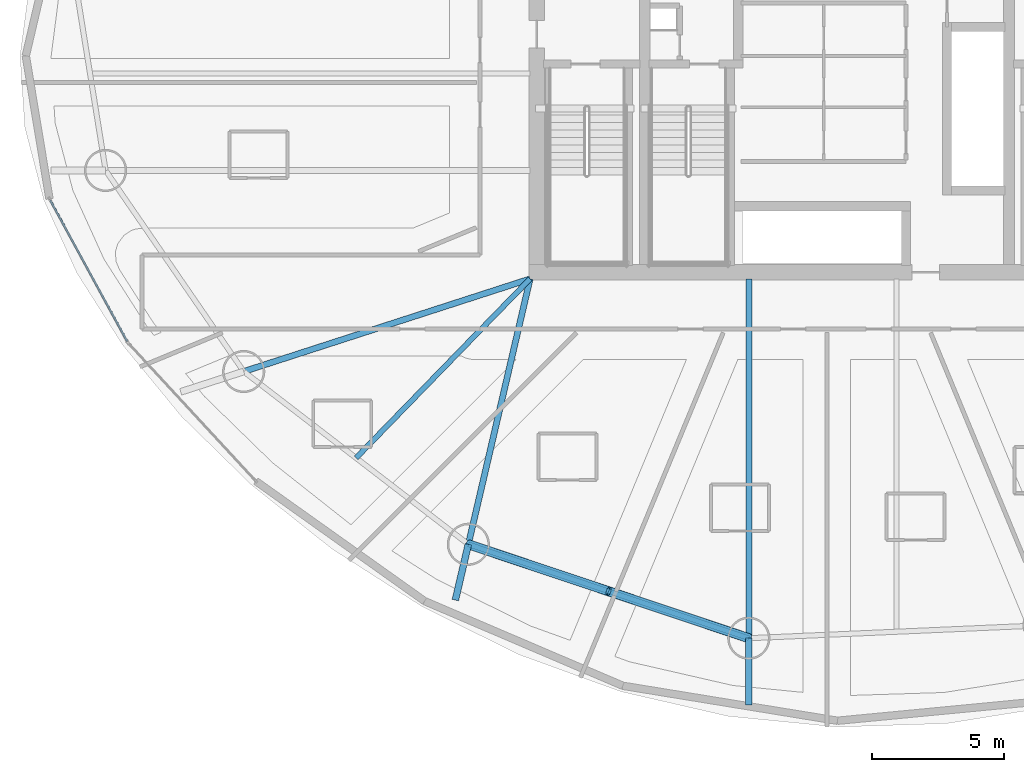
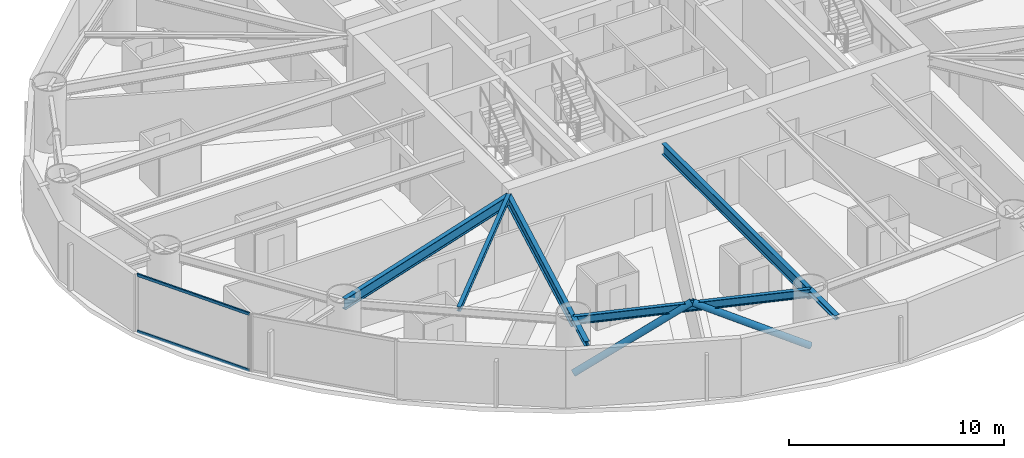
# One storey, part 3 of 27: 7 beams, 4 members, 1 element without a shape of its own.
"""IFC4 building model written with IfcOpenShell, lengths in metres."""

import ifcopenshell
import ifcopenshell.guid

model = None  # the IFC model being written
_history = None  # IfcOwnerHistory: only IFC2X3 demands one
_inside = {}  # id of a spatial element -> (the spatial element, [elements in it])
_under = {}  # id of a project, library or spatial element -> (it, [spatial elements below it])
_declared = {}  # id of a project -> (the project, [libraries it declares])
_typed = {}  # id of a type object -> (the type object, [elements of that type])
_made_of = {}  # id of a material, layer set ... -> (it, [elements and type objects made of it])


def new_model(schema):
    """Start an empty IFC model of exactly this schema.

    Asked for "IFC4X3", IfcOpenShell would pick the latest addendum, in which some entities
    have other attributes; the version numbers below select the first issue.
    IFC2X3 requires an IfcOwnerHistory on every rooted entity: one is made here for all.
    """
    global model, _history
    if schema == "IFC4X3":
        model = ifcopenshell.file(schema_version=(4, 3, 0, 0))
    else:
        model = ifcopenshell.file(schema=schema)
    _inside.clear()
    _under.clear()
    _declared.clear()
    _typed.clear()
    _made_of.clear()
    _history = None
    if model.schema == "IFC2X3":
        org = make("IfcOrganization", Name="unknown")
        user = make(
            "IfcPersonAndOrganization",
            ThePerson=make("IfcPerson", FamilyName="unknown"),
            TheOrganization=org,
        )
        app = make(
            "IfcApplication",
            ApplicationDeveloper=org,
            Version="unknown",
            ApplicationFullName="unknown",
            ApplicationIdentifier="unknown",
        )
        _history = make(
            "IfcOwnerHistory",
            OwningUser=user,
            OwningApplication=app,
            ChangeAction="ADDED",
            CreationDate=0,
        )
    return model


def make(cls, **values):
    """One entity of the class cls with the attributes given. An attribute that is None is left unset."""
    return model.create_entity(
        cls, **{name: value for name, value in values.items() if value is not None}
    )


def rooted(cls, **values):
    """An entity with a GlobalId (a new one), such as an element, a storey or a relation."""
    return make(cls, GlobalId=ifcopenshell.guid.new(), OwnerHistory=_history, **values)


def si_unit(unit_type, name, prefix=None):
    """IfcSIUnit, for example si_unit("LENGTHUNIT", "METRE", prefix="MILLI")."""
    return make("IfcSIUnit", UnitType=unit_type, Prefix=prefix, Name=name)


def assignment(units):
    """IfcUnitAssignment: the units of a project."""
    return None if units is None else make("IfcUnitAssignment", Units=units)


def point(xyz):
    """IfcCartesianPoint."""
    return None if xyz is None else make("IfcCartesianPoint", Coordinates=xyz)


def direction(xyz):
    """IfcDirection."""
    return None if xyz is None else make("IfcDirection", DirectionRatios=xyz)


def frame(location, z_axis=None, x_axis=None):
    """IfcAxis2Placement3D, a coordinate frame: its origin and axes. An axis left out is left unset."""
    return make(
        "IfcAxis2Placement3D",
        Location=point(location),
        Axis=direction(z_axis),
        RefDirection=direction(x_axis),
    )


def frame_2d(location, x_axis=None):
    """IfcAxis2Placement2D, a coordinate frame in the plane: its origin and x axis."""
    return make(
        "IfcAxis2Placement2D", Location=point(location), RefDirection=direction(x_axis)
    )


def origin():
    """The frame at (0, 0, 0) with its axes left unset."""
    return frame((0.0, 0.0, 0.0))


def origin_2d():
    """The frame at (0, 0) in the plane with its x axis left unset."""
    return frame_2d((0.0, 0.0))


def place(relative_to, where):
    """IfcLocalPlacement: puts the frame where relative to a parent placement (None: the world)."""
    return make(
        "IfcLocalPlacement", PlacementRelTo=relative_to, RelativePlacement=where
    )


def context(
    kind, dimensions, precision=None, world=None, true_north=None, identifier=None
):
    """IfcGeometricRepresentationContext, for example the 3D "Model" context."""
    return make(
        "IfcGeometricRepresentationContext",
        ContextIdentifier=identifier,
        ContextType=kind,
        CoordinateSpaceDimension=dimensions,
        Precision=precision,
        WorldCoordinateSystem=world,
        TrueNorth=true_north,
    )


def subcontext(parent, identifier, kind, view, scale=None):
    """IfcGeometricRepresentationSubContext, for example "Body" below "Model"."""
    return make(
        "IfcGeometricRepresentationSubContext",
        ContextIdentifier=identifier,
        ContextType=kind,
        ParentContext=parent,
        TargetScale=scale,
        TargetView=view,
    )


def project(units=None, contexts=None):
    """IfcProject with its units and contexts."""
    return rooted(
        "IfcProject",
        Name="project",
        RepresentationContexts=contexts,
        UnitsInContext=assignment(units),
    )


def spatial(cls, under=None, at=None, **own):
    """A site, building, storey or space (cls), placed at a placement, below another one or the project."""
    s = rooted(cls, ObjectPlacement=at, **own)
    if under is not None:
        _under.setdefault(under.id(), (under, []))[1].append(s)
    return s


def profile(cls, at=None, kind="AREA", **sizes):
    """A parametric profile (cls). Its sizes go by their IFC names, for example OverallWidth=200.0."""
    return make(cls, ProfileType=kind, Position=at, **sizes)


def hollow_rectangle(**sizes):
    """IfcRectangleHollowProfileDef."""
    return profile("IfcRectangleHollowProfileDef", **sizes)


def hollow_circle(**sizes):
    """IfcCircleHollowProfileDef."""
    return profile("IfcCircleHollowProfileDef", **sizes)


def i_section(**sizes):
    """IfcIShapeProfileDef."""
    return profile("IfcIShapeProfileDef", **sizes)


def extrude(swept, where, along, depth):
    """IfcExtrudedAreaSolid: the profile swept, set in the frame where, extruded along a direction by depth."""
    return make(
        "IfcExtrudedAreaSolid",
        SweptArea=swept,
        Position=where,
        ExtrudedDirection=direction(along),
        Depth=depth,
    )


def shape(context_of_items, identifier, shape_type, items):
    """IfcShapeRepresentation: the items that make up one representation, for example the "Body"."""
    return make(
        "IfcShapeRepresentation",
        ContextOfItems=context_of_items,
        RepresentationIdentifier=identifier,
        RepresentationType=shape_type,
        Items=items,
    )


def material(Name=None, Category=None):
    """IfcMaterial."""
    return make("IfcMaterial", Name=Name, Category=Category)


def layer(
    of_material, thickness, ventilated=None, Name=None, Category=None, Priority=None
):
    """IfcMaterialLayer: one layer of a wall or slab, of a material (None: an air gap)."""
    return make(
        "IfcMaterialLayer",
        Material=of_material,
        LayerThickness=thickness,
        IsVentilated=ventilated,
        Name=Name,
        Category=Category,
        Priority=Priority,
    )


def layer_set(layers, Name=None):
    """IfcMaterialLayerSet."""
    return make("IfcMaterialLayerSet", MaterialLayers=layers, LayerSetName=Name)


def material_profile(
    of_material, cross_section, Name=None, Category=None, Priority=None
):
    """IfcMaterialProfile: a cross section and its material."""
    return make(
        "IfcMaterialProfile",
        Name=Name,
        Material=of_material,
        Profile=cross_section,
        Priority=Priority,
        Category=Category,
    )


def profile_set(profiles, Name=None, composite=None):
    """IfcMaterialProfileSet."""
    return make(
        "IfcMaterialProfileSet",
        Name=Name,
        MaterialProfiles=profiles,
        CompositeProfile=composite,
    )


def made_of(thing, what):
    """Note that an element or type object is made of a material, layer set ...; save() writes the relation."""
    if what is not None:
        _made_of.setdefault(what.id(), (what, []))[1].append(thing)
    return thing


def type_object(cls, material=None, **own):
    """A type object (cls), such as IfcWallType, which elements share."""
    return made_of(rooted(cls, **own), material)


def element(
    cls,
    number,
    at=None,
    inside=None,
    cuts=None,
    type_object=None,
    material=None,
    context=None,
    identifier="Body",
    shape_type=None,
    held_by="IfcProductDefinitionShape",
    body=None,
    shapes=None,
    **own,
):
    """One element of the class cls, such as IfcWall. Its Tag is "e" and its number.

    at: its placement. inside: the storey or other place that contains it. cuts: it is an
    opening in that element (IfcRelVoidsElement). A single representation is given by context,
    identifier, shape_type and body (its items); several are given by shapes. held_by: the class
    of the entity that holds the representations. save() writes the other relations.
    """
    e = rooted(cls, Tag="e%d" % number, ObjectPlacement=at, **own)
    if body is not None:
        shapes = [shape(context, identifier, shape_type, body)]
    if shapes is not None:
        e.Representation = make(held_by, Representations=shapes)
    if inside is not None:
        _inside.setdefault(inside.id(), (inside, []))[1].append(e)
    if cuts is not None:
        rooted(
            "IfcRelVoidsElement", RelatingBuildingElement=cuts, RelatedOpeningElement=e
        )
    if type_object is not None:
        _typed.setdefault(type_object.id(), (type_object, []))[1].append(e)
    return made_of(e, material)


def aggregate(whole, parts):
    """IfcRelAggregates: a whole, such as a stair, and the parts it consists of."""
    return rooted("IfcRelAggregates", RelatingObject=whole, RelatedObjects=parts)


def save(model, path):
    """Write the relations noted so far, then the file.

    IfcRelAggregates (storeys below a building ...), IfcRelContainedInSpatialStructure (elements
    in a storey), IfcRelDefinesByType, IfcRelAssociatesMaterial and IfcRelDeclares: one each for
    every whole, place, type object, material and project.
    """
    for whole, parts in _under.values():
        aggregate(whole, parts)
    for where, things in _inside.values():
        rooted(
            "IfcRelContainedInSpatialStructure",
            RelatedElements=things,
            RelatingStructure=where,
        )
    for kind, things in _typed.values():
        rooted("IfcRelDefinesByType", RelatedObjects=things, RelatingType=kind)
    for what, things in _made_of.values():
        rooted("IfcRelAssociatesMaterial", RelatedObjects=things, RelatingMaterial=what)
    for by, libraries in _declared.values():
        rooted("IfcRelDeclares", RelatingContext=by, RelatedDefinitions=libraries)
    model.write(path)


model = new_model("IFC4")

# Units and contexts
model_context = context("Model", 3, precision=1e-05, world=origin(), true_north=direction((0.0, 1.0)))
body_context = subcontext(model_context, "Body", "Model", "MODEL_VIEW")
ifc_project = project(units=[si_unit("LENGTHUNIT", "METRE"), si_unit("AREAUNIT", "SQUARE_METRE"), si_unit("VOLUMEUNIT", "CUBIC_METRE"), si_unit("PLANEANGLEUNIT", "RADIAN"), si_unit("MASSUNIT", "GRAM", prefix="KILO")], contexts=[model_context])

# Site, building, storey
site_placement = place(None, origin())
site = spatial("IfcSite", under=ifc_project, at=site_placement, CompositionType="ELEMENT")
building_placement = place(site_placement, origin())
building = spatial("IfcBuilding", under=site, at=building_placement, Name="Bramvorn Convention Spire", CompositionType="ELEMENT")
storey_placement = place(building_placement, frame((0.0, 0.0, 44.89990234375)))
storey = spatial("IfcBuildingStorey", under=building, at=storey_placement, Name="L08", CompositionType="ELEMENT", Elevation=44.89990234375)

# Beams
ifc_material_1 = material(Name="Steel CSA G40.21 Grade 350 (350W)", Category="steel")
ifc_material_profile_1 = material_profile(ifc_material_1, i_section(OverallWidth=0.201904296875, OverallDepth=0.2470703125, WebThickness=0.00732421875, FlangeThickness=0.010986328125, FilletRadius=0.011962890625, at=origin_2d()))
ifc_profile_set_1 = profile_set([ifc_material_profile_1], Name="Steel CSA G40.21 Grade 350 (350W) - W250X49")
beam_type_1 = type_object("IfcBeamType", Name="BM-W250X49", PredefinedType="JOIST", material=ifc_profile_set_1)
beam_1_placement = place(storey_placement, frame((26.75, 18.550048828125, 3.126708984375), z_axis=(-0.697157225069, -0.716918268378, 0.0), x_axis=(0.716918268378, -0.697157225069, 0.0)))
element("IfcBeam", 1, at=beam_1_placement, inside=storey, type_object=beam_type_1, Name="L08 composite floor joist 11", PredefinedType="JOIST", context=body_context, shape_type="SweptSolid", body=[
    extrude(i_section(OverallWidth=0.201904296875, OverallDepth=0.2470703125, WebThickness=0.00732421875, FlangeThickness=0.010986328125, FilletRadius=0.011962890625, at=origin_2d()), origin(), (0.0, 0.0, 1.0), 9.463623046875),
])
ifc_material_profile_2 = material_profile(ifc_material_1, i_section(OverallWidth=0.25390625, OverallDepth=0.2529296875, WebThickness=0.008544921875, FlangeThickness=0.01416015625, FilletRadius=0.011962890625, at=origin_2d()))
ifc_profile_set_2 = profile_set([ifc_material_profile_2], Name="Steel CSA G40.21 Grade 350 (350W) - W250X73")
beam_type_2 = type_object("IfcBeamType", Name="BM-W250X73", PredefinedType="BEAM", material=ifc_profile_set_2)
beam_2_placement = place(storey_placement, frame((24.40966796875, 8.490966796875, 3.12353515625), z_axis=(-0.226625154347, -0.973982052924, 0.0), x_axis=(0.973982052924, -0.226625154347, 0.0)))
element("IfcBeam", 2, at=beam_2_placement, inside=storey, type_object=beam_type_2, Name="L08 slab-edge cantilever tip beam MC12", PredefinedType="BEAM", context=body_context, shape_type="SweptSolid", body=[
    extrude(i_section(OverallWidth=0.25390625, OverallDepth=0.2529296875, WebThickness=0.008544921875, FlangeThickness=0.01416015625, FilletRadius=0.011962890625, at=origin_2d()), origin(), (0.0, 0.0, 1.0), 2.170654296875),
])
beam_3_placement = place(storey_placement, frame((35.0390625, 4.93115234375, 3.12353515625), z_axis=(0.0, -1.0, 0.0), x_axis=(1.0, 0.0, 0.0)))
element("IfcBeam", 3, at=beam_3_placement, inside=storey, type_object=beam_type_2, Name="L08 slab-edge cantilever tip beam MC13", PredefinedType="BEAM", context=body_context, shape_type="SweptSolid", body=[
    extrude(i_section(OverallWidth=0.25390625, OverallDepth=0.2529296875, WebThickness=0.008544921875, FlangeThickness=0.01416015625, FilletRadius=0.011962890625, at=origin_2d()), origin(), (0.0, 0.0, 1.0), 2.521728515625),
])
ifc_material_profile_3 = material_profile(ifc_material_1, i_section(OverallWidth=0.194091796875, OverallDepth=0.468994140625, WebThickness=0.0126953125, FlangeThickness=0.0205078125, FilletRadius=0.01806640625, at=origin_2d()))
ifc_profile_set_3 = profile_set([ifc_material_profile_3], Name="Steel CSA G40.21 Grade 350 (350W) - W460X106")
beam_type_3 = type_object("IfcBeamType", Name="BM-W460X106", PredefinedType="SPANDREL", material=ifc_profile_set_3)
beam_4_placement = place(storey_placement, frame((24.40966796875, 8.490966796875, 3.015625), z_axis=(0.948235872727, -0.317566890078, 0.0), x_axis=(0.317566890078, 0.948235872727, 0.0)))
element("IfcBeam", 4, at=beam_4_placement, inside=storey, type_object=beam_type_3, Name="L08 mega-column ring beam 12", PredefinedType="SPANDREL", context=body_context, shape_type="SweptSolid", body=[
    extrude(i_section(OverallWidth=0.194091796875, OverallDepth=0.468994140625, WebThickness=0.0126953125, FlangeThickness=0.0205078125, FilletRadius=0.01806640625, at=origin_2d()), origin(), (0.0, 0.0, 1.0), 11.209716796875),
])
ifc_material_profile_4 = material_profile(ifc_material_1, i_section(OverallWidth=0.22998046875, OverallDepth=0.616943359375, WebThickness=0.01318359375, FlangeThickness=0.022216796875, FilletRadius=0.02001953125, at=origin_2d()))
ifc_profile_set_4 = profile_set([ifc_material_profile_4], Name="Steel CSA G40.21 Grade 350 (350W) - W610X140")
beam_type_4 = type_object("IfcBeamType", Name="BM-W610X140", PredefinedType="BEAM", material=ifc_profile_set_4)
beam_5_placement = place(storey_placement, frame((26.75, 18.550048828125, 2.941650390625), z_axis=(-0.951488933275, -0.307682969719, 0.0), x_axis=(0.307682969719, -0.951488933275, 0.0)))
element("IfcBeam", 5, at=beam_5_placement, inside=storey, type_object=beam_type_4, Name="L08 radial floor girder MC11", PredefinedType="BEAM", context=body_context, shape_type="SweptSolid", body=[
    extrude(i_section(OverallWidth=0.22998046875, OverallDepth=0.616943359375, WebThickness=0.01318359375, FlangeThickness=0.022216796875, FilletRadius=0.02001953125, at=origin_2d()), origin(), (0.0, 0.0, 1.0), 11.40869140625),
])
beam_6_placement = place(storey_placement, frame((26.75, 18.550048828125, 2.941650390625), z_axis=(-0.226606328522, -0.973986433106, 0.0), x_axis=(0.973986433106, -0.226606328522, 0.0)))
element("IfcBeam", 6, at=beam_6_placement, inside=storey, type_object=beam_type_4, Name="L08 radial floor girder MC12", PredefinedType="BEAM", context=body_context, shape_type="SweptSolid", body=[
    extrude(i_section(OverallWidth=0.22998046875, OverallDepth=0.616943359375, WebThickness=0.01318359375, FlangeThickness=0.022216796875, FilletRadius=0.02001953125, at=origin_2d()), origin(), (0.0, 0.0, 1.0), 10.32763671875),
])
beam_7_placement = place(storey_placement, frame((35.0390625, 18.550048828125, 2.941650390625), z_axis=(0.0, -1.0, 0.0), x_axis=(1.0, 0.0, 0.0)))
element("IfcBeam", 7, at=beam_7_placement, inside=storey, type_object=beam_type_4, Name="L08 radial floor girder MC13", PredefinedType="BEAM", context=body_context, shape_type="SweptSolid", body=[
    extrude(i_section(OverallWidth=0.22998046875, OverallDepth=0.616943359375, WebThickness=0.01318359375, FlangeThickness=0.022216796875, FilletRadius=0.02001953125, at=origin_2d()), origin(), (0.0, 0.0, 1.0), 13.618896484375),
])

# Curtain wall, members
ifc_material_2 = material(Name="Anodised Bronze Unitised Curtain Wall", Category="aluminium")
ifc_layer = layer(ifc_material_2, 0.179931640625)
ifc_layer_set = layer_set([ifc_layer], Name="Anodised Bronze Unitised Curtain Wall - CW-HTL-FRIT")
curtain_wall_type = type_object("IfcCurtainWallType", Name="CW-HTL-FRIT", PredefinedType="USERDEFINED", material=ifc_layer_set)
curtain_wall_placement = place(storey_placement, origin())
curtain_wall = element("IfcCurtainWall", 8, at=curtain_wall_placement, inside=storey, type_object=curtain_wall_type, Name="L08 fritted glass curtain wall 14", ObjectType="UNITISED CURTAIN WALL", PredefinedType="USERDEFINED")
ifc_material_3 = material(Name="Anodised Bronze Aluminium 6063-T6", Category="aluminium")
ifc_material_profile_5 = material_profile(ifc_material_3, hollow_rectangle(XDim=0.080078125, YDim=0.159912109375, WallThickness=0.00390625, InnerFilletRadius=0.0009765625, OuterFilletRadius=0.00390625, at=origin_2d()))
ifc_profile_set_5 = profile_set([ifc_material_profile_5], Name="Anodised Bronze Aluminium 6063-T6 - CWT80X160")
member_type_1 = type_object("IfcMemberType", Name="CW-TRN-150", PredefinedType="USERDEFINED", material=ifc_profile_set_5)
member_1_placement = place(storey_placement, frame((11.48046875, 16.18310546875, 0.030029296875), z_axis=(-0.479017782958, 0.877805196846, 0.0), x_axis=(-0.877805196846, -0.479017782958, 0.0)))
member_1 = element("IfcMember", 9, at=member_1_placement, type_object=member_type_1, Name="CW2 transom 1.1", ObjectType="TRANSOM", PredefinedType="USERDEFINED", context=body_context, shape_type="SweptSolid", body=[
    extrude(hollow_rectangle(XDim=0.080078125, YDim=0.159912109375, WallThickness=0.00390625, InnerFilletRadius=0.0009765625, OuterFilletRadius=0.00390625, at=origin_2d()), origin(), (0.0, 0.0, 1.0), 6.092041015625),
])
member_2_placement = place(storey_placement, frame((11.48046875, 16.18310546875, 3.22021484375), z_axis=(-0.479017782958, 0.877805196846, 0.0), x_axis=(-0.877805196846, -0.479017782958, 0.0)))
member_2 = element("IfcMember", 10, at=member_2_placement, type_object=member_type_1, Name="CW2 transom 1.2", ObjectType="TRANSOM", PredefinedType="USERDEFINED", context=body_context, shape_type="SweptSolid", body=[
    extrude(hollow_rectangle(XDim=0.080078125, YDim=0.159912109375, WallThickness=0.00390625, InnerFilletRadius=0.0009765625, OuterFilletRadius=0.00390625, at=origin_2d()), origin(), (0.0, 0.0, 1.0), 6.092041015625),
])
aggregate(curtain_wall, [member_1, member_2])

# Members
ifc_material_profile_6 = material_profile(ifc_material_1, hollow_circle(Radius=0.177734375, WallThickness=0.015869140625, at=origin_2d()))
ifc_profile_set_6 = profile_set([ifc_material_profile_6], Name="Steel CSA G40.21 Grade 350 (350W) - CHS356X16")
member_type_2 = type_object("IfcMemberType", Name="MBR-CHS356X16", PredefinedType="BRACE", material=ifc_profile_set_6)
for number, where, z_axis, x_axis, name in (
    (11, (24.40966796875, 8.490966796875, 0.0), (0.820300118259, -0.274739683138, 0.501623187756), (0.31758647294, 0.948229314146, 0.0), "L08 perimeter Gothic lancet brace 12A"),
    (12, (35.0390625, 4.93115234375, 0.0), (-0.820308610169, 0.274704844877, 0.501628380659), (-0.31754730681, -0.948242430994, 0.0), "L08 perimeter Gothic lancet brace 12B"),
):
    element("IfcMember", number, at=place(storey_placement, frame(where, z_axis=z_axis, x_axis=x_axis)), inside=storey, type_object=member_type_2, Name=name, PredefinedType="BRACE", context=body_context, shape_type="SweptSolid", body=[
        extrude(hollow_circle(Radius=0.177734375, WallThickness=0.015869140625, at=origin_2d()), origin(), (0.0, 0.0, 1.0), 6.47900390625),
    ])

save(model, "model.ifc")
